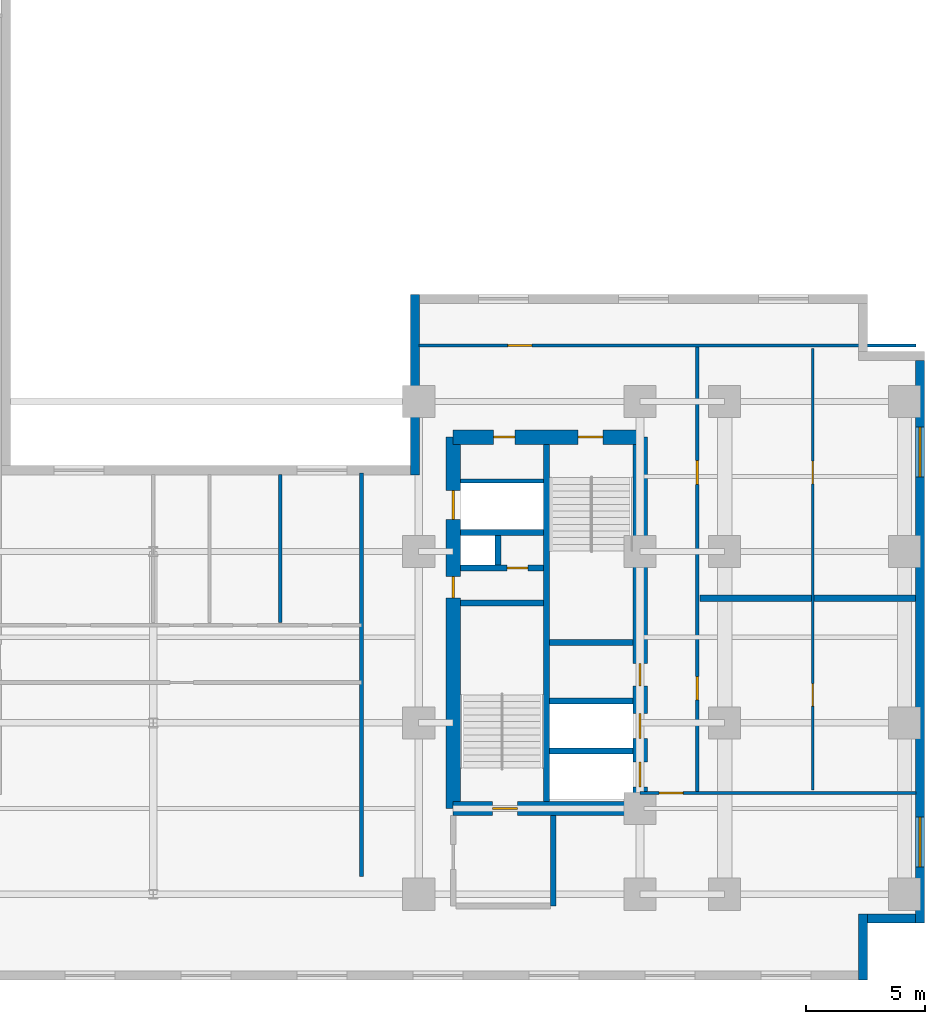
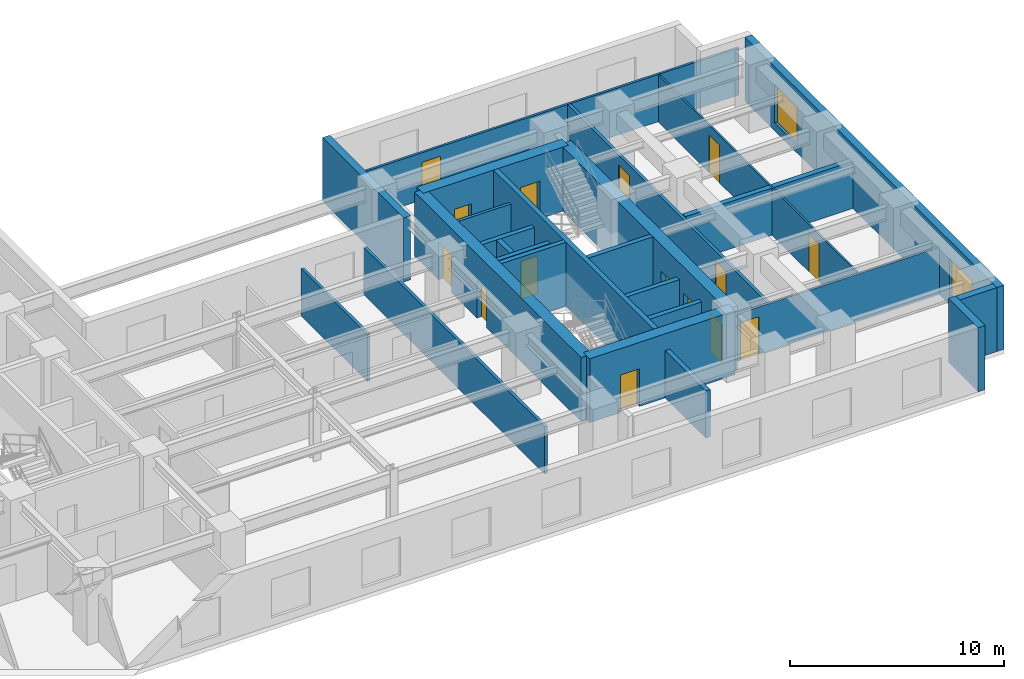
# One storey, part 5 of 9: 25 walls, 15 doors, 2 windows, 17 openings.
"""IFC4 building model written with IfcOpenShell, lengths in metres."""

from ifc_helpers import new_model, entity, si_unit, converted_unit, direction, frame, origin_with_axes, origin_2d_with_axis, place, context, subcontext, project, spatial, polyline, rectangle, outline, extrude, material, layer, layer_set, type_object, element, fill, save


model = new_model("IFC4")

# Units and contexts
model_context = context("Model", 3, precision=1e-05, world=origin_with_axes(), true_north=direction((0.0, 1.0)))
body_context = subcontext(model_context, "Body", "Model", "MODEL_VIEW")
ifc_project = project(units=[si_unit("LENGTHUNIT", "METRE"), si_unit("AREAUNIT", "SQUARE_METRE"), si_unit("VOLUMEUNIT", "CUBIC_METRE"), converted_unit("PLANEANGLEUNIT", "DEGREE", entity("IfcPlaneAngleMeasure", 0.017453292519943295), si_unit("PLANEANGLEUNIT", "RADIAN"), dimensions=[0, 0, 0, 0, 0, 0, 0]), si_unit("MASSUNIT", "GRAM", prefix="KILO"), si_unit("THERMODYNAMICTEMPERATUREUNIT", "KELVIN")], contexts=[model_context])

# Site, building, storey
site_placement = place(None, origin_with_axes())
site = spatial("IfcSite", under=ifc_project, at=site_placement, CompositionType="ELEMENT")
building_placement = place(site_placement, origin_with_axes())
building = spatial("IfcBuilding", under=site, at=building_placement, Name="Varnlund Millrace Tower", CompositionType="ELEMENT")
storey_placement = place(building_placement, frame((0.0, 0.0, 67.8), z_axis=(0.0, 0.0, 1.0), x_axis=(1.0, 0.0, 0.0)))
storey = spatial("IfcBuildingStorey", under=building, at=storey_placement, Name="L16", CompositionType="ELEMENT", Elevation=67.8)

# Wall, openings, doors
ifc_material_1 = material(Name="Concrete C80/95", Category="concrete")
ifc_layer_1 = layer(ifc_material_1, 0.6, Name="Concrete C80/95")
ifc_layer_set_1 = layer_set([ifc_layer_1], Name="Concrete C80/95")
wall_type_1 = type_object("IfcWallType", Name="Type-CoreWall-Shear-600-C80", PredefinedType="SHEAR", material=ifc_layer_set_1)
wall_1_placement = place(storey_placement, frame((40.2, 7.2, 0.0), z_axis=(0.0, 0.0, 1.0), x_axis=(0.0, 1.0, 0.0)))
wall_1 = element("IfcWall", 1, at=wall_1_placement, inside=storey, type_object=wall_type_1, Name="Type-CoreWall-Shear-600-C80", PredefinedType="SHEAR", context=body_context, shape_type="SweptSolid", body=[
    extrude(outline(polyline([(0.0, -0.3), (15.6, -0.3), (15.6, 0.3), (0.0, 0.3), (0.0, -0.3)])), origin_with_axes(), (0.0, 0.0, 1.0), 3.66),
])
opening_1_placement = place(wall_1_placement, frame((12.75, 0.0, 0.0), z_axis=(0.0, 0.0, 1.0), x_axis=(1.0, 0.0, 0.0)))
opening_1 = element("IfcOpeningElement", 2, at=opening_1_placement, cuts=wall_1, Name="Opening L16:LD-SRV2", PredefinedType="OPENING", context=body_context, shape_type="SweptSolid", body=[
    extrude(rectangle(XDim=1.2, YDim=0.62, at=origin_2d_with_axis()), origin_with_axes(), (0.0, 0.0, 1.0), 2.15),
])
opening_2_placement = place(wall_1_placement, frame((9.3, 0.0, 0.0), z_axis=(0.0, 0.0, 1.0), x_axis=(1.0, 0.0, 0.0)))
opening_2 = element("IfcOpeningElement", 3, at=opening_2_placement, cuts=wall_1, Name="Opening L16:DR-CB-JAN", PredefinedType="OPENING", context=body_context, shape_type="SweptSolid", body=[
    extrude(rectangle(XDim=0.9, YDim=0.62, at=origin_2d_with_axis()), origin_with_axes(), (0.0, 0.0, 1.0), 2.15),
])
ifc_material_2 = material(Name="Fire-rated hollow steel service closet door", Category="steel")
door_type_1 = type_object("IfcDoorType", Name="Type-FireDoor-Closet-900X2150", OperationType="NOTDEFINED", PredefinedType="DOOR", material=ifc_material_2)
door_1_placement = place(wall_1_placement, frame((9.3, 0.0, 0.0), z_axis=(0.0, 0.0, 1.0), x_axis=(1.0, 0.0, 0.0)))
door_1 = element("IfcDoor", 4, at=door_1_placement, inside=storey, type_object=door_type_1, Name="Type-FireDoor-Closet-900X2150", OperationType="SINGLE_SWING_RIGHT", OverallHeight=2.15, OverallWidth=0.9, PredefinedType="DOOR", context=body_context, shape_type="SweptSolid", body=[
    extrude(rectangle(XDim=0.9, YDim=0.09, at=origin_2d_with_axis()), origin_with_axes(), (0.0, 0.0, 1.0), 2.15),
])
fill(opening_2, door_1)
ifc_material_3 = material(Name="Heavy-duty freight sliding landing door")
door_type_2 = type_object("IfcDoorType", Name="Type-LiftLandingDoor-Service-1200X2150", OperationType="NOTDEFINED", PredefinedType="DOOR", material=ifc_material_3)
door_2_placement = place(wall_1_placement, frame((12.75, 0.0, 0.0), z_axis=(0.0, 0.0, 1.0), x_axis=(1.0, 0.0, 0.0)))
door_2 = element("IfcDoor", 5, at=door_2_placement, inside=storey, type_object=door_type_2, Name="Type-LiftLandingDoor-Service-1200X2150", OperationType="DOUBLE_DOOR_SLIDING", OverallHeight=2.15, OverallWidth=1.2, PredefinedType="DOOR", context=body_context, shape_type="SweptSolid", body=[
    extrude(rectangle(XDim=1.2, YDim=0.09, at=origin_2d_with_axis()), origin_with_axes(), (0.0, 0.0, 1.0), 2.15),
])
fill(opening_1, door_2)

# Wall, opening, door
wall_2_placement = place(storey_placement, frame((40.2, 7.2, 0.0), z_axis=(0.0, 0.0, 1.0), x_axis=(1.0, 0.0, 0.0)))
wall_2 = element("IfcWall", 6, at=wall_2_placement, inside=storey, type_object=wall_type_1, Name="Type-CoreWall-Shear-600-C80", PredefinedType="SHEAR", context=body_context, shape_type="SweptSolid", body=[
    extrude(outline(polyline([(0.0, -0.3), (7.85, -0.3), (7.85, 0.3), (0.0, 0.3), (0.0, -0.3)])), origin_with_axes(), (0.0, 0.0, 1.0), 3.66),
])
opening_3_placement = place(wall_2_placement, frame((2.175, 0.0, 0.0), z_axis=(0.0, 0.0, 1.0), x_axis=(1.0, 0.0, 0.0)))
opening_3 = element("IfcOpeningElement", 7, at=opening_3_placement, cuts=wall_2, Name="Opening L16:DR-STB1", PredefinedType="OPENING", context=body_context, shape_type="SweptSolid", body=[
    extrude(rectangle(XDim=1.05, YDim=0.62, at=origin_2d_with_axis()), origin_with_axes(), (0.0, 0.0, 1.0), 2.15),
])
ifc_material_4 = material(Name="Fire-rated hollow steel door", Category="steel")
door_type_3 = type_object("IfcDoorType", Name="Type-FireDoor-Stair-1050X2150", OperationType="NOTDEFINED", PredefinedType="DOOR", material=ifc_material_4)
door_3_placement = place(wall_2_placement, frame((2.175, 0.0, 0.0), z_axis=(0.0, 0.0, 1.0), x_axis=(1.0, 0.0, 0.0)))
door_3 = element("IfcDoor", 8, at=door_3_placement, inside=storey, type_object=door_type_3, Name="Type-FireDoor-Stair-1050X2150", OperationType="SINGLE_SWING_LEFT", OverallHeight=2.15, OverallWidth=1.05, PredefinedType="DOOR", context=body_context, shape_type="SweptSolid", body=[
    extrude(rectangle(XDim=1.05, YDim=0.09, at=origin_2d_with_axis()), origin_with_axes(), (0.0, 0.0, 1.0), 2.15),
])
fill(opening_3, door_3)

# Wall, openings, doors
wall_3_placement = place(storey_placement, frame((40.2, 22.8, 0.0), z_axis=(0.0, 0.0, 1.0), x_axis=(1.0, 0.0, 0.0)))
wall_3 = element("IfcWall", 9, at=wall_3_placement, inside=storey, type_object=wall_type_1, Name="Type-CoreWall-Shear-600-C80", PredefinedType="SHEAR", context=body_context, shape_type="SweptSolid", body=[
    extrude(outline(polyline([(0.0, -0.3), (7.85, -0.3), (7.85, 0.3), (0.0, 0.3), (0.0, -0.3)])), origin_with_axes(), (0.0, 0.0, 1.0), 3.66),
])
opening_4_placement = place(wall_3_placement, frame((5.775, 0.0, 0.0), z_axis=(0.0, 0.0, 1.0), x_axis=(1.0, 0.0, 0.0)))
opening_4 = element("IfcOpeningElement", 10, at=opening_4_placement, cuts=wall_3, Name="Opening L16:DR-STB2", PredefinedType="OPENING", context=body_context, shape_type="SweptSolid", body=[
    extrude(rectangle(XDim=1.05, YDim=0.62, at=origin_2d_with_axis()), origin_with_axes(), (0.0, 0.0, 1.0), 2.15),
])
opening_5_placement = place(wall_3_placement, frame((2.15, 0.0, 0.0), z_axis=(0.0, 0.0, 1.0), x_axis=(1.0, 0.0, 0.0)))
opening_5 = element("IfcOpeningElement", 11, at=opening_5_placement, cuts=wall_3, Name="Opening L16:DR-CB-NW", PredefinedType="OPENING", context=body_context, shape_type="SweptSolid", body=[
    extrude(rectangle(XDim=0.9, YDim=0.62, at=origin_2d_with_axis()), origin_with_axes(), (0.0, 0.0, 1.0), 2.15),
])
door_4_placement = place(wall_3_placement, frame((2.15, 0.0, 0.0), z_axis=(0.0, 0.0, 1.0), x_axis=(1.0, 0.0, 0.0)))
door_4 = element("IfcDoor", 12, at=door_4_placement, inside=storey, type_object=door_type_1, Name="Type-FireDoor-Closet-900X2150", OperationType="SINGLE_SWING_LEFT", OverallHeight=2.15, OverallWidth=0.9, PredefinedType="DOOR", context=body_context, shape_type="SweptSolid", body=[
    extrude(rectangle(XDim=0.9, YDim=0.09, at=origin_2d_with_axis()), origin_with_axes(), (0.0, 0.0, 1.0), 2.15),
])
fill(opening_5, door_4)
door_5_placement = place(wall_3_placement, frame((5.775, 0.0, 0.0), z_axis=(0.0, 0.0, 1.0), x_axis=(1.0, 0.0, 0.0)))
door_5 = element("IfcDoor", 13, at=door_5_placement, inside=storey, type_object=door_type_3, Name="Type-FireDoor-Stair-1050X2150", OperationType="SINGLE_SWING_RIGHT", OverallHeight=2.15, OverallWidth=1.05, PredefinedType="DOOR", context=body_context, shape_type="SweptSolid", body=[
    extrude(rectangle(XDim=1.05, YDim=0.09, at=origin_2d_with_axis()), origin_with_axes(), (0.0, 0.0, 1.0), 2.15),
])
fill(opening_4, door_5)

wall_4_placement = place(storey_placement, frame((48.05, 7.2, 0.0), z_axis=(0.0, 0.0, 1.0), x_axis=(0.0, 1.0, 0.0)))
wall_4 = element("IfcWall", 14, at=wall_4_placement, inside=storey, type_object=wall_type_1, Name="Type-CoreWall-Shear-600-C80", PredefinedType="SHEAR", context=body_context, shape_type="SweptSolid", body=[
    extrude(outline(polyline([(0.0, -0.3), (15.6, -0.3), (15.6, 0.3), (0.0, 0.3), (0.0, -0.3)])), origin_with_axes(), (0.0, 0.0, 1.0), 3.66),
])
opening_6_placement = place(wall_4_placement, frame((1.425, 0.0, 0.0), z_axis=(0.0, 0.0, 1.0), x_axis=(1.0, 0.0, 0.0)))
opening_6 = element("IfcOpeningElement", 15, at=opening_6_placement, cuts=wall_4, Name="Opening L16:LD-ELV-L3", PredefinedType="OPENING", context=body_context, shape_type="SweptSolid", body=[
    extrude(rectangle(XDim=1.05, YDim=0.62, at=origin_2d_with_axis()), origin_with_axes(), (0.0, 0.0, 1.0), 2.15),
])
opening_7_placement = place(wall_4_placement, frame((3.475, 0.0, 0.0), z_axis=(0.0, 0.0, 1.0), x_axis=(1.0, 0.0, 0.0)))
opening_7 = element("IfcOpeningElement", 16, at=opening_7_placement, cuts=wall_4, Name="Opening L16:LD-ELV-L4", PredefinedType="OPENING", context=body_context, shape_type="SweptSolid", body=[
    extrude(rectangle(XDim=1.05, YDim=0.62, at=origin_2d_with_axis()), origin_with_axes(), (0.0, 0.0, 1.0), 2.15),
])
opening_8_placement = place(wall_4_placement, frame((5.625, 0.0, 0.0), z_axis=(0.0, 0.0, 1.0), x_axis=(1.0, 0.0, 0.0)))
opening_8 = element("IfcOpeningElement", 17, at=opening_8_placement, cuts=wall_4, Name="Opening L16:DR-CB-WC", PredefinedType="OPENING", context=body_context, shape_type="SweptSolid", body=[
    extrude(rectangle(XDim=0.95, YDim=0.62, at=origin_2d_with_axis()), origin_with_axes(), (0.0, 0.0, 1.0), 2.15),
])
ifc_material_5 = material(Name="Fire-rated hollow steel core service door", Category="steel")
door_type_4 = type_object("IfcDoorType", Name="Type-FireDoor-Service-950X2150", OperationType="NOTDEFINED", PredefinedType="DOOR", material=ifc_material_5)
door_6_placement = place(wall_4_placement, frame((5.625, 0.0, 0.0), z_axis=(0.0, 0.0, 1.0), x_axis=(1.0, 0.0, 0.0)))
door_6 = element("IfcDoor", 18, at=door_6_placement, inside=storey, type_object=door_type_4, Name="Type-FireDoor-Service-950X2150", OperationType="SINGLE_SWING_LEFT", OverallHeight=2.15, OverallWidth=0.95, PredefinedType="DOOR", context=body_context, shape_type="SweptSolid", body=[
    extrude(rectangle(XDim=0.95, YDim=0.09, at=origin_2d_with_axis()), origin_with_axes(), (0.0, 0.0, 1.0), 2.15),
])
fill(opening_8, door_6)
ifc_material_6 = material(Name="Architectural bronze sliding landing door")
door_type_5 = type_object("IfcDoorType", Name="Type-LiftLandingDoor-Compact-1050X2150", OperationType="NOTDEFINED", PredefinedType="DOOR", material=ifc_material_6)
door_7_placement = place(wall_4_placement, frame((1.425, 0.0, 0.0), z_axis=(0.0, 0.0, 1.0), x_axis=(1.0, 0.0, 0.0)))
door_7 = element("IfcDoor", 19, at=door_7_placement, inside=storey, type_object=door_type_5, Name="Type-LiftLandingDoor-Compact-1050X2150", OperationType="SLIDING_TO_LEFT", OverallHeight=2.15, OverallWidth=1.05, PredefinedType="DOOR", context=body_context, shape_type="SweptSolid", body=[
    extrude(rectangle(XDim=1.05, YDim=0.09, at=origin_2d_with_axis()), origin_with_axes(), (0.0, 0.0, 1.0), 2.15),
])
fill(opening_6, door_7)
door_8_placement = place(wall_4_placement, frame((3.475, 0.0, 0.0), z_axis=(0.0, 0.0, 1.0), x_axis=(1.0, 0.0, 0.0)))
door_8 = element("IfcDoor", 20, at=door_8_placement, inside=storey, type_object=door_type_5, Name="Type-LiftLandingDoor-Compact-1050X2150", OperationType="SLIDING_TO_RIGHT", OverallHeight=2.15, OverallWidth=1.05, PredefinedType="DOOR", context=body_context, shape_type="SweptSolid", body=[
    extrude(rectangle(XDim=1.05, YDim=0.09, at=origin_2d_with_axis()), origin_with_axes(), (0.0, 0.0, 1.0), 2.15),
])
fill(opening_7, door_8)

# Wall
ifc_material_7 = material(Name="Precast concrete C50/60", Category="concrete")
ifc_layer_2 = layer(ifc_material_7, 0.38, Name="Precast concrete C50/60")
ifc_layer_set_2 = layer_set([ifc_layer_2], Name="Precast concrete C50/60")
wall_type_2 = type_object("IfcWallType", Name="Type-ExtWall-Precast-Tube-380", PredefinedType="SOLIDWALL", material=ifc_layer_set_2)
wall_5_placement = place(storey_placement, frame((38.59, 21.22, 0.0), z_axis=(0.0, 0.0, 1.0), x_axis=(0.0, 1.0, 0.0)))
element("IfcWall", 21, at=wall_5_placement, inside=storey, type_object=wall_type_2, Name="Type-ExtWall-Precast-Tube-380", PredefinedType="SOLIDWALL", context=body_context, shape_type="SweptSolid", body=[
    extrude(outline(polyline([(0.0, -0.19), (7.58, -0.19), (7.58, 0.19), (0.0, 0.19), (0.0, -0.19)])), origin_with_axes(), (0.0, 0.0, 1.0), 3.66),
])

# Wall, openings, windows
wall_6_placement = place(storey_placement, frame((59.81, 26.02, 0.0), z_axis=(0.0, 0.0, 1.0), x_axis=(0.0, -1.0, 0.0)))
wall_6 = element("IfcWall", 22, at=wall_6_placement, inside=storey, type_object=wall_type_2, Name="Type-ExtWall-Precast-Tube-380", PredefinedType="SOLIDWALL", context=body_context, shape_type="SweptSolid", body=[
    extrude(outline(polyline([(0.0, -0.19), (23.62, -0.19), (23.62, 0.19), (0.0, 0.19), (0.0, -0.19)])), origin_with_axes(), (0.0, 0.0, 1.0), 3.66),
])
opening_9_placement = place(wall_6_placement, frame((3.853, 0.0, 0.45), z_axis=(0.0, 0.0, 1.0), x_axis=(1.0, 0.0, 0.0)))
opening_9 = element("IfcOpeningElement", 23, at=opening_9_placement, cuts=wall_6, Name="Opening L16:WN-04", PredefinedType="OPENING", context=body_context, shape_type="SweptSolid", body=[
    extrude(rectangle(XDim=2.1, YDim=0.4, at=origin_2d_with_axis()), origin_with_axes(), (0.0, 0.0, 1.0), 2.2),
])
opening_10_placement = place(wall_6_placement, frame((20.218, 0.0, 0.45), z_axis=(0.0, 0.0, 1.0), x_axis=(1.0, 0.0, 0.0)))
opening_10 = element("IfcOpeningElement", 24, at=opening_10_placement, cuts=wall_6, Name="Opening L16:WN-05", PredefinedType="OPENING", context=body_context, shape_type="SweptSolid", body=[
    extrude(rectangle(XDim=2.1, YDim=0.4, at=origin_2d_with_axis()), origin_with_axes(), (0.0, 0.0, 1.0), 2.2),
])
ifc_material_8 = material(Name="Argon low-e triple glazing in thermally broken bronze frame", Category="glass")
window_type = type_object("IfcWindowType", Name="Type-Window-Punched-2100X2200", PartitioningType="SINGLE_PANEL", PredefinedType="WINDOW", material=ifc_material_8)
window_1_placement = place(wall_6_placement, frame((3.853, 0.0, 0.45), z_axis=(0.0, 0.0, 1.0), x_axis=(1.0, 0.0, 0.0)))
window_1 = element("IfcWindow", 25, at=window_1_placement, inside=storey, type_object=window_type, Name="Type-Window-Punched-2100X2200", OverallHeight=2.2, OverallWidth=2.1, PredefinedType="WINDOW", context=body_context, shape_type="SweptSolid", body=[
    extrude(rectangle(XDim=2.1, YDim=0.09, at=origin_2d_with_axis()), origin_with_axes(), (0.0, 0.0, 1.0), 2.2),
])
fill(opening_9, window_1)
window_2_placement = place(wall_6_placement, frame((20.218, 0.0, 0.45), z_axis=(0.0, 0.0, 1.0), x_axis=(1.0, 0.0, 0.0)))
window_2 = element("IfcWindow", 26, at=window_2_placement, inside=storey, type_object=window_type, Name="Type-Window-Punched-2100X2200", OverallHeight=2.2, OverallWidth=2.1, PredefinedType="WINDOW", context=body_context, shape_type="SweptSolid", body=[
    extrude(rectangle(XDim=2.1, YDim=0.09, at=origin_2d_with_axis()), origin_with_axes(), (0.0, 0.0, 1.0), 2.2),
])
fill(opening_10, window_2)

# Walls
wall_7_placement = place(storey_placement, frame((59.62, 2.59, 0.0), z_axis=(0.0, 0.0, 1.0), x_axis=(-1.0, 0.0, 0.0)))
element("IfcWall", 27, at=wall_7_placement, inside=storey, type_object=wall_type_2, Name="Type-ExtWall-Precast-Tube-380", PredefinedType="SOLIDWALL", context=body_context, shape_type="SweptSolid", body=[
    extrude(outline(polyline([(0.0, -0.19), (2.02, -0.19), (2.02, 0.19), (0.0, 0.19), (0.0, -0.19)])), origin_with_axes(), (0.0, 0.0, 1.0), 3.66),
])
wall_8_placement = place(storey_placement, frame((57.41, 2.78, 0.0), z_axis=(0.0, 0.0, 1.0), x_axis=(0.0, -1.0, 0.0)))
element("IfcWall", 28, at=wall_8_placement, inside=storey, type_object=wall_type_2, Name="Type-ExtWall-Precast-Tube-380", PredefinedType="SOLIDWALL", context=body_context, shape_type="SweptSolid", body=[
    extrude(outline(polyline([(0.0, -0.19), (2.78, -0.19), (2.78, 0.19), (0.0, 0.19), (0.0, -0.19)])), origin_with_axes(), (0.0, 0.0, 1.0), 3.66),
])
ifc_material_9 = material(Name="Double-stud STC-60 conference acoustic partition", Category="gypsum")
ifc_layer_3 = layer(ifc_material_9, 0.28, Name="Double-stud STC-60 conference acoustic partition")
ifc_layer_set_3 = layer_set([ifc_layer_3], Name="Double-stud STC-60 conference acoustic partition")
wall_type_3 = type_object("IfcWallType", Name="Type-Partition-Acoustic-280", PredefinedType="PARTITIONING", material=ifc_layer_set_3)
wall_9_placement = place(storey_placement, frame((50.57, 16.04, 0.0), z_axis=(0.0, 0.0, 1.0), x_axis=(1.0, 0.0, 0.0)))
element("IfcWall", 29, at=wall_9_placement, inside=storey, type_object=wall_type_3, Name="Type-Partition-Acoustic-280", PredefinedType="PARTITIONING", context=body_context, shape_type="SweptSolid", body=[
    extrude(outline(polyline([(0.0, -0.14), (9.055, -0.14), (9.055, 0.14), (0.0, 0.14), (0.0, -0.14)])), origin_with_axes(), (0.0, 0.0, 1.0), 2.7),
])
ifc_material_10 = material(Name="Fire-rated gypsum board on cold-formed steel framing", Category="steel")
ifc_layer_4 = layer(ifc_material_10, 0.16, Name="Fire-rated gypsum board on cold-formed steel framing")
ifc_layer_set_4 = layer_set([ifc_layer_4], Name="Fire-rated gypsum board on cold-formed steel framing")
wall_type_4 = type_object("IfcWallType", Name="Type-Partition-Corridor-160", PredefinedType="PARTITIONING", material=ifc_layer_set_4)
wall_10_placement = place(storey_placement, frame((40.5, 20.96, 0.0), z_axis=(0.0, 0.0, 1.0), x_axis=(1.0, 0.0, 0.0)))
element("IfcWall", 30, at=wall_10_placement, inside=storey, type_object=wall_type_4, Name="Type-Partition-Corridor-160", PredefinedType="PARTITIONING", context=body_context, shape_type="SweptSolid", body=[
    extrude(outline(polyline([(0.0, -0.08), (3.5, -0.08), (3.5, 0.08), (0.0, 0.08), (0.0, -0.08)])), origin_with_axes(), (0.0, 0.0, 1.0), 2.7),
])
wall_11_placement = place(storey_placement, frame((36.35, 4.35, 0.0), z_axis=(0.0, 0.0, 1.0), x_axis=(0.0, 1.0, 0.0)))
element("IfcWall", 31, at=wall_11_placement, inside=storey, type_object=wall_type_4, Name="Type-Partition-Corridor-160", PredefinedType="PARTITIONING", context=body_context, shape_type="SweptSolid", body=[
    extrude(outline(polyline([(0.0, -0.08), (16.95, -0.08), (16.95, 0.08), (0.0, 0.08), (0.0, -0.08)])), origin_with_axes(), (0.0, 0.0, 1.0), 2.7),
])

# Wall, openings, doors
wall_12_placement = place(storey_placement, frame((50.45, 7.85, 0.0), z_axis=(0.0, 0.0, 1.0), x_axis=(0.0, 1.0, 0.0)))
wall_12 = element("IfcWall", 32, at=wall_12_placement, inside=storey, type_object=wall_type_4, Name="Type-Partition-Corridor-160", PredefinedType="PARTITIONING", context=body_context, shape_type="SweptSolid", body=[
    extrude(outline(polyline([(0.0, -0.08), (18.8, -0.08), (18.8, 0.08), (0.0, 0.08), (0.0, -0.08)])), origin_with_axes(), (0.0, 0.0, 1.0), 2.7),
])
opening_11_placement = place(wall_12_placement, frame((4.405, 0.0, 0.0), z_axis=(0.0, 0.0, 1.0), x_axis=(1.0, 0.0, 0.0)))
opening_11 = element("IfcOpeningElement", 33, at=opening_11_placement, cuts=wall_12, Name="Opening L16:DR-WB-01", PredefinedType="OPENING", context=body_context, shape_type="SweptSolid", body=[
    extrude(rectangle(XDim=1.0, YDim=0.18, at=origin_2d_with_axis()), origin_with_axes(), (0.0, 0.0, 1.0), 2.15),
])
opening_12_placement = place(wall_12_placement, frame((13.465, 0.0, 0.0), z_axis=(0.0, 0.0, 1.0), x_axis=(1.0, 0.0, 0.0)))
opening_12 = element("IfcOpeningElement", 34, at=opening_12_placement, cuts=wall_12, Name="Opening L16:DR-WB-02", PredefinedType="OPENING", context=body_context, shape_type="SweptSolid", body=[
    extrude(rectangle(XDim=1.0, YDim=0.18, at=origin_2d_with_axis()), origin_with_axes(), (0.0, 0.0, 1.0), 2.15),
])
ifc_material_11 = material(Name="Solid-core white oak and bronze frame door")
door_type_6 = type_object("IfcDoorType", Name="Type-IntDoor-Office-1000X2150", OperationType="NOTDEFINED", PredefinedType="DOOR", material=ifc_material_11)
door_9_placement = place(wall_12_placement, frame((4.405, 0.0, 0.0), z_axis=(0.0, 0.0, 1.0), x_axis=(1.0, 0.0, 0.0)))
door_9 = element("IfcDoor", 35, at=door_9_placement, inside=storey, type_object=door_type_6, Name="Type-IntDoor-Office-1000X2150", OperationType="SINGLE_SWING_LEFT", OverallHeight=2.15, OverallWidth=1.0, PredefinedType="DOOR", context=body_context, shape_type="SweptSolid", body=[
    extrude(rectangle(XDim=1.0, YDim=0.09, at=origin_2d_with_axis()), origin_with_axes(), (0.0, 0.0, 1.0), 2.15),
])
fill(opening_11, door_9)
door_10_placement = place(wall_12_placement, frame((13.465, 0.0, 0.0), z_axis=(0.0, 0.0, 1.0), x_axis=(1.0, 0.0, 0.0)))
door_10 = element("IfcDoor", 36, at=door_10_placement, inside=storey, type_object=door_type_6, Name="Type-IntDoor-Office-1000X2150", OperationType="SINGLE_SWING_RIGHT", OverallHeight=2.15, OverallWidth=1.0, PredefinedType="DOOR", context=body_context, shape_type="SweptSolid", body=[
    extrude(rectangle(XDim=1.0, YDim=0.09, at=origin_2d_with_axis()), origin_with_axes(), (0.0, 0.0, 1.0), 2.15),
])
fill(opening_12, door_10)

# Wall
ifc_material_12 = material(Name="Acoustic STC-50 gypsum board partition", Category="gypsum")
ifc_layer_5 = layer(ifc_material_12, 0.15, Name="Acoustic STC-50 gypsum board partition")
ifc_layer_set_5 = layer_set([ifc_layer_5], Name="Acoustic STC-50 gypsum board partition")
wall_type_5 = type_object("IfcWallType", Name="Type-Partition-Demising-150", PredefinedType="PARTITIONING", material=ifc_layer_set_5)
wall_13_placement = place(storey_placement, frame((32.935, 15.02, 0.0), z_axis=(0.0, 0.0, 1.0), x_axis=(0.0, 1.0, 0.0)))
element("IfcWall", 37, at=wall_13_placement, inside=storey, type_object=wall_type_5, Name="Type-Partition-Demising-150", PredefinedType="PARTITIONING", context=body_context, shape_type="SweptSolid", body=[
    extrude(outline(polyline([(0.0, -0.075), (6.205, -0.075), (6.205, 0.075), (0.0, 0.075), (0.0, -0.075)])), origin_with_axes(), (0.0, 0.0, 1.0), 2.7),
])

# Wall, openings, doors
ifc_material_13 = material(Name="Architectural bronze and acoustic glass office front", Category="glass")
ifc_layer_6 = layer(ifc_material_13, 0.1, Name="Architectural bronze and acoustic glass office front")
ifc_layer_set_6 = layer_set([ifc_layer_6], Name="Architectural bronze and acoustic glass office front")
wall_type_6 = type_object("IfcWallType", Name="Type-Partition-Glazed-100", PredefinedType="PARTITIONING", material=ifc_layer_set_6)
wall_14_placement = place(storey_placement, frame((55.3, 7.98, 0.0), z_axis=(0.0, 0.0, 1.0), x_axis=(0.0, 1.0, 0.0)))
wall_14 = element("IfcWall", 38, at=wall_14_placement, inside=storey, type_object=wall_type_6, Name="Type-Partition-Glazed-100", PredefinedType="PARTITIONING", context=body_context, shape_type="SweptSolid", body=[
    extrude(outline(polyline([(0.0, -0.05), (18.54, -0.05), (18.54, 0.05), (0.0, 0.05), (0.0, -0.05)])), origin_with_axes(), (0.0, 0.0, 1.0), 2.7),
])
opening_13_placement = place(wall_14_placement, frame((3.995, 0.0, 0.0), z_axis=(0.0, 0.0, 1.0), x_axis=(1.0, 0.0, 0.0)))
opening_13 = element("IfcOpeningElement", 39, at=opening_13_placement, cuts=wall_14, Name="Opening L16:DR-WB-S01", PredefinedType="OPENING", context=body_context, shape_type="SweptSolid", body=[
    extrude(rectangle(XDim=0.95, YDim=0.12, at=origin_2d_with_axis()), origin_with_axes(), (0.0, 0.0, 1.0), 2.15),
])
opening_14_placement = place(wall_14_placement, frame((13.335, 0.0, 0.0), z_axis=(0.0, 0.0, 1.0), x_axis=(1.0, 0.0, 0.0)))
opening_14 = element("IfcOpeningElement", 40, at=opening_14_placement, cuts=wall_14, Name="Opening L16:DR-WB-S02", PredefinedType="OPENING", context=body_context, shape_type="SweptSolid", body=[
    extrude(rectangle(XDim=0.95, YDim=0.12, at=origin_2d_with_axis()), origin_with_axes(), (0.0, 0.0, 1.0), 2.15),
])
ifc_material_14 = material(Name="Solid-core acoustic office door")
door_type_7 = type_object("IfcDoorType", Name="Type-IntDoor-Tenant-950X2150", OperationType="NOTDEFINED", PredefinedType="DOOR", material=ifc_material_14)
door_11_placement = place(wall_14_placement, frame((3.995, 0.0, 0.0), z_axis=(0.0, 0.0, 1.0), x_axis=(1.0, 0.0, 0.0)))
door_11 = element("IfcDoor", 41, at=door_11_placement, inside=storey, type_object=door_type_7, Name="Type-IntDoor-Tenant-950X2150", OperationType="SINGLE_SWING_LEFT", OverallHeight=2.15, OverallWidth=0.95, PredefinedType="DOOR", context=body_context, shape_type="SweptSolid", body=[
    extrude(rectangle(XDim=0.95, YDim=0.06, at=origin_2d_with_axis()), origin_with_axes(), (0.0, 0.0, 1.0), 2.15),
])
fill(opening_13, door_11)
door_12_placement = place(wall_14_placement, frame((13.335, 0.0, 0.0), z_axis=(0.0, 0.0, 1.0), x_axis=(1.0, 0.0, 0.0)))
door_12 = element("IfcDoor", 42, at=door_12_placement, inside=storey, type_object=door_type_7, Name="Type-IntDoor-Tenant-950X2150", OperationType="SINGLE_SWING_LEFT", OverallHeight=2.15, OverallWidth=0.95, PredefinedType="DOOR", context=body_context, shape_type="SweptSolid", body=[
    extrude(rectangle(XDim=0.95, YDim=0.06, at=origin_2d_with_axis()), origin_with_axes(), (0.0, 0.0, 1.0), 2.15),
])
fill(opening_14, door_12)

# Wall, opening, door
ifc_material_15 = material(Name="Gypsum board tenant partition", Category="gypsum")
ifc_layer_7 = layer(ifc_material_15, 0.125, Name="Gypsum board tenant partition")
ifc_layer_set_7 = layer_set([ifc_layer_7], Name="Gypsum board tenant partition")
wall_type_7 = type_object("IfcWallType", Name="Type-Partition-Tenant-125", PredefinedType="PARTITIONING", material=ifc_layer_set_7)
wall_15_placement = place(storey_placement, frame((59.64, 7.85, 0.0), z_axis=(0.0, 0.0, 1.0), x_axis=(-1.0, 0.0, 0.0)))
wall_15 = element("IfcWall", 43, at=wall_15_placement, inside=storey, type_object=wall_type_7, Name="Type-Partition-Tenant-125", PredefinedType="PARTITIONING", context=body_context, shape_type="SweptSolid", body=[
    extrude(outline(polyline([(0.0, -0.0625), (11.59, -0.0625), (11.59, 0.0625), (0.0, 0.0625), (0.0, -0.0625)])), origin_with_axes(), (0.0, 0.0, 1.0), 2.7),
])
opening_15_placement = place(wall_15_placement, frame((10.29, 0.0, 0.0), z_axis=(0.0, 0.0, 1.0), x_axis=(1.0, 0.0, 0.0)))
opening_15 = element("IfcOpeningElement", 44, at=opening_15_placement, cuts=wall_15, Name="Opening L16:DR-WBS-01", PredefinedType="OPENING", context=body_context, shape_type="SweptSolid", body=[
    extrude(rectangle(XDim=1.0, YDim=0.145, at=origin_2d_with_axis()), origin_with_axes(), (0.0, 0.0, 1.0), 2.15),
])
door_13_placement = place(wall_15_placement, frame((10.29, 0.0, 0.0), z_axis=(0.0, 0.0, 1.0), x_axis=(1.0, 0.0, 0.0)))
door_13 = element("IfcDoor", 45, at=door_13_placement, inside=storey, type_object=door_type_6, Name="Type-IntDoor-Office-1000X2150", OperationType="SINGLE_SWING_LEFT", OverallHeight=2.15, OverallWidth=1.0, PredefinedType="DOOR", context=body_context, shape_type="SweptSolid", body=[
    extrude(rectangle(XDim=1.0, YDim=0.075, at=origin_2d_with_axis()), origin_with_axes(), (0.0, 0.0, 1.0), 2.15),
])
fill(opening_15, door_13)

wall_16_placement = place(storey_placement, frame((38.76, 26.65, 0.0), z_axis=(0.0, 0.0, 1.0), x_axis=(1.0, 0.0, 0.0)))
wall_16 = element("IfcWall", 46, at=wall_16_placement, inside=storey, type_object=wall_type_7, Name="Type-Partition-Tenant-125", PredefinedType="PARTITIONING", context=body_context, shape_type="SweptSolid", body=[
    extrude(outline(polyline([(0.0, -0.0625), (20.88, -0.0625), (20.88, 0.0625), (0.0, 0.0625), (0.0, -0.0625)])), origin_with_axes(), (0.0, 0.0, 1.0), 2.7),
])
opening_16_placement = place(wall_16_placement, frame((4.24, 0.0, 0.0), z_axis=(0.0, 0.0, 1.0), x_axis=(1.0, 0.0, 0.0)))
opening_16 = element("IfcOpeningElement", 47, at=opening_16_placement, cuts=wall_16, Name="Opening L16:DR-WBN-01", PredefinedType="OPENING", context=body_context, shape_type="SweptSolid", body=[
    extrude(rectangle(XDim=1.0, YDim=0.145, at=origin_2d_with_axis()), origin_with_axes(), (0.0, 0.0, 1.0), 2.15),
])
door_14_placement = place(wall_16_placement, frame((4.24, 0.0, 0.0), z_axis=(0.0, 0.0, 1.0), x_axis=(1.0, 0.0, 0.0)))
door_14 = element("IfcDoor", 48, at=door_14_placement, inside=storey, type_object=door_type_6, Name="Type-IntDoor-Office-1000X2150", OperationType="SINGLE_SWING_RIGHT", OverallHeight=2.15, OverallWidth=1.0, PredefinedType="DOOR", context=body_context, shape_type="SweptSolid", body=[
    extrude(rectangle(XDim=1.0, YDim=0.075, at=origin_2d_with_axis()), origin_with_axes(), (0.0, 0.0, 1.0), 2.15),
])
fill(opening_16, door_14)

ifc_material_16 = material(Name="Concrete C60/75", Category="concrete")
ifc_layer_8 = layer(ifc_material_16, 0.25, Name="Concrete C60/75")
ifc_layer_set_8 = layer_set([ifc_layer_8], Name="Concrete C60/75")
wall_type_8 = type_object("IfcWallType", Name="Type-ShaftWall-Fire-250", PredefinedType="SOLIDWALL", material=ifc_layer_set_8)
wall_17_placement = place(storey_placement, frame((40.5, 17.3, 0.0), z_axis=(0.0, 0.0, 1.0), x_axis=(1.0, 0.0, 0.0)))
wall_17 = element("IfcWall", 49, at=wall_17_placement, inside=storey, type_object=wall_type_8, Name="Type-ShaftWall-Fire-250", PredefinedType="SOLIDWALL", context=body_context, shape_type="SweptSolid", body=[
    extrude(outline(polyline([(0.0, -0.125), (3.5, -0.125), (3.5, 0.125), (0.0, 0.125), (0.0, -0.125)])), origin_with_axes(), (0.0, 0.0, 1.0), 2.7),
])
opening_17_placement = place(wall_17_placement, frame((2.4, 0.0, 0.0), z_axis=(0.0, 0.0, 1.0), x_axis=(1.0, 0.0, 0.0)))
opening_17 = element("IfcOpeningElement", 50, at=opening_17_placement, cuts=wall_17, Name="Opening L16:DR-CB-ELC", PredefinedType="OPENING", context=body_context, shape_type="SweptSolid", body=[
    extrude(rectangle(XDim=0.9, YDim=0.27, at=origin_2d_with_axis()), origin_with_axes(), (0.0, 0.0, 1.0), 2.15),
])
door_15_placement = place(wall_17_placement, frame((2.4, 0.0, 0.0), z_axis=(0.0, 0.0, 1.0), x_axis=(1.0, 0.0, 0.0)))
door_15 = element("IfcDoor", 51, at=door_15_placement, inside=storey, type_object=door_type_1, Name="Type-FireDoor-Closet-900X2150", OperationType="SINGLE_SWING_LEFT", OverallHeight=2.15, OverallWidth=0.9, PredefinedType="DOOR", context=body_context, shape_type="SweptSolid", body=[
    extrude(rectangle(XDim=0.9, YDim=0.09, at=origin_2d_with_axis()), origin_with_axes(), (0.0, 0.0, 1.0), 2.15),
])
fill(opening_17, door_15)

# Walls
wall_18_placement = place(storey_placement, frame((40.5, 18.8, 0.0), z_axis=(0.0, 0.0, 1.0), x_axis=(1.0, 0.0, 0.0)))
element("IfcWall", 52, at=wall_18_placement, inside=storey, type_object=wall_type_8, Name="Type-ShaftWall-Fire-250", PredefinedType="SOLIDWALL", context=body_context, shape_type="SweptSolid", body=[
    extrude(outline(polyline([(0.0, -0.125), (3.5, -0.125), (3.5, 0.125), (0.0, 0.125), (0.0, -0.125)])), origin_with_axes(), (0.0, 0.0, 1.0), 2.7),
])
wall_19_placement = place(storey_placement, frame((42.075, 17.43, 0.0), z_axis=(0.0, 0.0, 1.0), x_axis=(0.0, 1.0, 0.0)))
element("IfcWall", 53, at=wall_19_placement, inside=storey, type_object=wall_type_8, Name="Type-ShaftWall-Fire-250", PredefinedType="SOLIDWALL", context=body_context, shape_type="SweptSolid", body=[
    extrude(outline(polyline([(0.0, -0.125), (1.24, -0.125), (1.24, 0.125), (0.0, 0.125), (0.0, -0.125)])), origin_with_axes(), (0.0, 0.0, 1.0), 2.7),
])
wall_20_placement = place(storey_placement, frame((44.4, 3.1, 0.0), z_axis=(0.0, 0.0, 1.0), x_axis=(0.0, 1.0, 0.0)))
element("IfcWall", 54, at=wall_20_placement, inside=storey, type_object=wall_type_8, Name="Type-ShaftWall-Fire-250", PredefinedType="SOLIDWALL", context=body_context, shape_type="SweptSolid", body=[
    extrude(outline(polyline([(0.0, -0.125), (3.8, -0.125), (3.8, 0.125), (0.0, 0.125), (0.0, -0.125)])), origin_with_axes(), (0.0, 0.0, 1.0), 2.7),
])
for number, where, z_axis, x_axis, name in (
    (55, (44.25, 9.62, 0.0), (0.0, 0.0, 1.0), (1.0, 0.0, 0.0), "Type-ShaftWall-Fire-250"),
    (56, (44.25, 11.72, 0.0), (0.0, 0.0, 1.0), (1.0, 0.0, 0.0), "Type-ShaftWall-Fire-250"),
):
    element("IfcWall", number, at=place(storey_placement, frame(where, z_axis=z_axis, x_axis=x_axis)), inside=storey, type_object=wall_type_8, Name=name, PredefinedType="SOLIDWALL", context=body_context, shape_type="SweptSolid", body=[
        extrude(outline(polyline([(0.0, -0.125), (3.5, -0.125), (3.5, 0.125), (0.0, 0.125), (0.0, -0.125)])), origin_with_axes(), (0.0, 0.0, 1.0), 2.7),
    ])
wall_type_9 = type_object("IfcWallType", Name="Type-StairWall-Shear-250", PredefinedType="SHEAR", material=ifc_layer_set_8)
wall_21_placement = place(storey_placement, frame((44.125, 7.5, 0.0), z_axis=(0.0, 0.0, 1.0), x_axis=(0.0, 1.0, 0.0)))
element("IfcWall", 57, at=wall_21_placement, inside=storey, type_object=wall_type_9, Name="Type-StairWall-Shear-250", PredefinedType="SHEAR", context=body_context, shape_type="SweptSolid", body=[
    extrude(outline(polyline([(0.0, -0.125), (15.0, -0.125), (15.0, 0.125), (0.0, 0.125), (0.0, -0.125)])), origin_with_axes(), (0.0, 0.0, 1.0), 3.66),
])
for number, where, z_axis, x_axis, name in (
    (58, (40.5, 15.825, 0.0), (0.0, 0.0, 1.0), (1.0, 0.0, 0.0), "Type-StairWall-Shear-250"),
    (59, (44.25, 14.175, 0.0), (0.0, 0.0, 1.0), (1.0, 0.0, 0.0), "Type-StairWall-Shear-250"),
):
    element("IfcWall", number, at=place(storey_placement, frame(where, z_axis=z_axis, x_axis=x_axis)), inside=storey, type_object=wall_type_9, Name=name, PredefinedType="SHEAR", context=body_context, shape_type="SweptSolid", body=[
        extrude(outline(polyline([(0.0, -0.125), (3.5, -0.125), (3.5, 0.125), (0.0, 0.125), (0.0, -0.125)])), origin_with_axes(), (0.0, 0.0, 1.0), 3.66),
    ])

save(model, "model.ifc")
